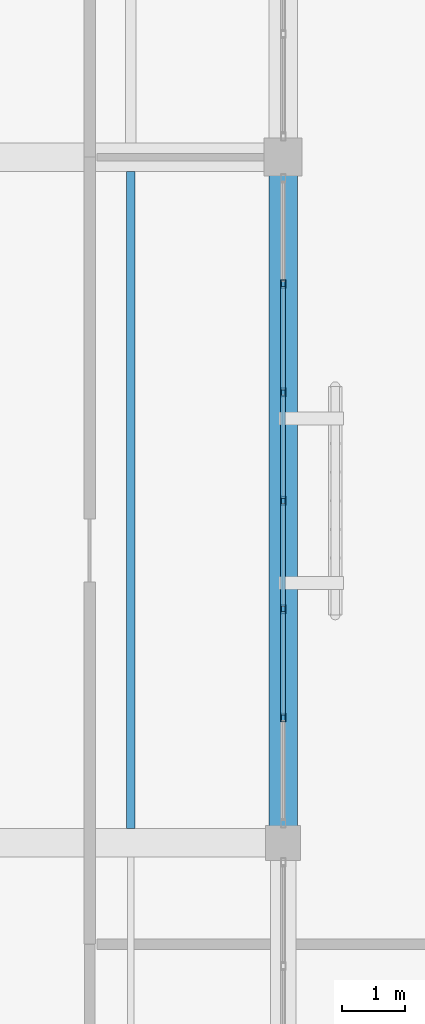
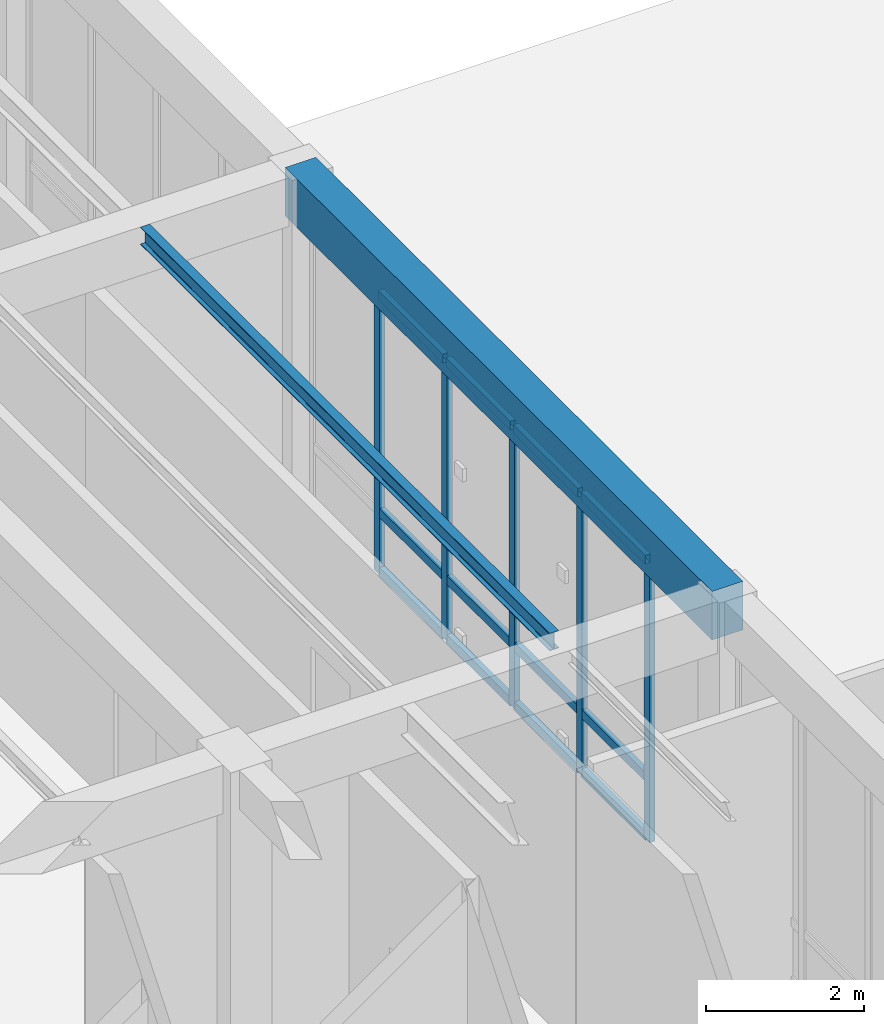
# One storey, part 30 of 169: 17 members, 2 beams, 1 element without a shape of its own.
"""IFC4 building model written with IfcOpenShell, lengths in metres."""

from ifc_helpers import new_model, si_unit, direction, frame, origin, origin_2d, place, context, subcontext, project, spatial, rectangle, hollow_rectangle, i_section, extrude, material, layer, layer_set, material_profile, profile_set, type_object, element, aggregate, save


model = new_model("IFC4")

# Units and contexts
model_context = context("Model", 3, precision=1e-05, world=origin(), true_north=direction((0.0, 1.0)))
body_context = subcontext(model_context, "Body", "Model", "MODEL_VIEW")
ifc_project = project(units=[si_unit("LENGTHUNIT", "METRE"), si_unit("AREAUNIT", "SQUARE_METRE"), si_unit("VOLUMEUNIT", "CUBIC_METRE"), si_unit("PLANEANGLEUNIT", "RADIAN"), si_unit("MASSUNIT", "GRAM", prefix="KILO")], contexts=[model_context])

# Site, building, storey
site_placement = place(None, origin())
site = spatial("IfcSite", under=ifc_project, at=site_placement, CompositionType="ELEMENT")
building_placement = place(site_placement, origin())
building = spatial("IfcBuilding", under=site, at=building_placement, Name="Mazaris Harbour Polytechnic", CompositionType="ELEMENT")
storey_placement = place(building_placement, origin())
storey = spatial("IfcBuildingStorey", under=building, at=storey_placement, Name="L00", CompositionType="ELEMENT", Elevation=0.0)

# Curtain wall, members
ifc_material_1 = material(Name="Anodised Bronze Aluminium and Low-E Glass", Category="aluminium")
ifc_layer = layer(ifc_material_1, 0.159912109375, Name="Anodised Bronze Aluminium and Low-E Glass")
ifc_layer_set = layer_set([ifc_layer], Name="Anodised Bronze Aluminium and Low-E Glass")
curtain_wall_type = type_object("IfcCurtainWallType", Name="Cloister Court Curtain Wall", PredefinedType="NOTDEFINED", material=ifc_layer_set)
curtain_wall_placement = place(storey_placement, origin())
curtain_wall = element("IfcCurtainWall", 1, at=curtain_wall_placement, inside=storey, type_object=curtain_wall_type, Name="V4 L00 Curtain Wall 104", PredefinedType="NOTDEFINED")
ifc_material_2 = material(Name="Anodised Bronze Steel S355", Category="steel")
ifc_material_profile_1 = material_profile(ifc_material_2, hollow_rectangle(XDim=0.080078125, YDim=0.139892578125, WallThickness=0.00634765625, at=origin_2d()), Name="RHS 80x140x6.3")
ifc_profile_set_1 = profile_set([ifc_material_profile_1], Name="Anodised Bronze Steel S355")
member_type_1 = type_object("IfcMemberType", Name="Curtain Mullion RHS80x140", PredefinedType="MULLION", material=ifc_profile_set_1)
member_1_placement = place(storey_placement, frame((14.39990234375, 45.173828125, 0.0), z_axis=(0.0, 0.0, 1.0), x_axis=(-1.0, 0.0, 0.0)))
member_1 = element("IfcMember", 2, at=member_1_placement, type_object=member_type_1, Name="CW-02 mullion 2", PredefinedType="MULLION", context=body_context, shape_type="SweptSolid", body=[
    extrude(hollow_rectangle(XDim=0.080078125, YDim=0.139892578125, WallThickness=0.00634765625, at=origin_2d()), origin(), (0.0, 0.0, 1.0), 4.340087890625),
])
member_2_placement = place(storey_placement, frame((14.39990234375, 46.880615234375, 0.0), z_axis=(0.0, 0.0, 1.0), x_axis=(-1.0, 0.0, 0.0)))
member_2 = element("IfcMember", 3, at=member_2_placement, type_object=member_type_1, Name="CW-02 mullion 3", PredefinedType="MULLION", context=body_context, shape_type="SweptSolid", body=[
    extrude(hollow_rectangle(XDim=0.080078125, YDim=0.139892578125, WallThickness=0.00634765625, at=origin_2d()), origin(), (0.0, 0.0, 1.0), 4.340087890625),
])
member_3_placement = place(storey_placement, frame((14.39990234375, 48.58740234375, 0.0), z_axis=(0.0, 0.0, 1.0), x_axis=(-1.0, 0.0, 0.0)))
member_3 = element("IfcMember", 4, at=member_3_placement, type_object=member_type_1, Name="CW-02 mullion 4", PredefinedType="MULLION", context=body_context, shape_type="SweptSolid", body=[
    extrude(hollow_rectangle(XDim=0.080078125, YDim=0.139892578125, WallThickness=0.00634765625, at=origin_2d()), origin(), (0.0, 0.0, 1.0), 4.340087890625),
])
member_4_placement = place(storey_placement, frame((14.39990234375, 50.29443359375, 0.0), z_axis=(0.0, 0.0, 1.0), x_axis=(-1.0, 0.0, 0.0)))
member_4 = element("IfcMember", 5, at=member_4_placement, type_object=member_type_1, Name="CW-02 mullion 5", PredefinedType="MULLION", context=body_context, shape_type="SweptSolid", body=[
    extrude(hollow_rectangle(XDim=0.080078125, YDim=0.139892578125, WallThickness=0.00634765625, at=origin_2d()), origin(), (0.0, 0.0, 1.0), 4.340087890625),
])
member_5_placement = place(storey_placement, frame((14.39990234375, 52.001220703125, 0.0), z_axis=(0.0, 0.0, 1.0), x_axis=(-1.0, 0.0, 0.0)))
member_5 = element("IfcMember", 6, at=member_5_placement, type_object=member_type_1, Name="CW-02 mullion 6", PredefinedType="MULLION", context=body_context, shape_type="SweptSolid", body=[
    extrude(hollow_rectangle(XDim=0.080078125, YDim=0.139892578125, WallThickness=0.00634765625, at=origin_2d()), origin(), (0.0, 0.0, 1.0), 4.340087890625),
])
ifc_material_3 = material(Name="Anodised Bronze Steel S355", Category="steel")
ifc_material_profile_2 = material_profile(ifc_material_3, hollow_rectangle(XDim=0.080078125, YDim=0.139892578125, WallThickness=0.00634765625, at=origin_2d()), Name="RHS 80x140x6.3")
ifc_profile_set_2 = profile_set([ifc_material_profile_2], Name="Anodised Bronze Steel S355")
member_type_2 = type_object("IfcMemberType", Name="Curtain Transom RHS80x140", PredefinedType="USERDEFINED", material=ifc_profile_set_2)
member_6_placement = place(storey_placement, frame((14.39990234375, 45.2138671875, 0.0400390625), z_axis=(0.0, 1.0, 0.0), x_axis=(-1.0, 0.0, 0.0)))
member_6 = element("IfcMember", 7, at=member_6_placement, type_object=member_type_2, Name="CW-02 transom 2.1", ObjectType="TRANSOM", PredefinedType="USERDEFINED", context=body_context, shape_type="SweptSolid", body=[
    extrude(hollow_rectangle(XDim=0.080078125, YDim=0.139892578125, WallThickness=0.00634765625, at=origin_2d()), origin(), (0.0, 0.0, 1.0), 1.626708984375),
])
member_7_placement = place(storey_placement, frame((14.39990234375, 45.2138671875, 0.949951171875), z_axis=(0.0, 1.0, 0.0), x_axis=(-1.0, 0.0, 0.0)))
member_7 = element("IfcMember", 8, at=member_7_placement, type_object=member_type_2, Name="CW-02 transom 2.2", ObjectType="TRANSOM", PredefinedType="USERDEFINED", context=body_context, shape_type="SweptSolid", body=[
    extrude(hollow_rectangle(XDim=0.080078125, YDim=0.139892578125, WallThickness=0.00634765625, at=origin_2d()), origin(), (0.0, 0.0, 1.0), 1.626708984375),
])
member_8_placement = place(storey_placement, frame((14.39990234375, 45.2138671875, 4.300048828125), z_axis=(0.0, 1.0, 0.0), x_axis=(-1.0, 0.0, 0.0)))
member_8 = element("IfcMember", 9, at=member_8_placement, type_object=member_type_2, Name="CW-02 transom 2.3", ObjectType="TRANSOM", PredefinedType="USERDEFINED", context=body_context, shape_type="SweptSolid", body=[
    extrude(hollow_rectangle(XDim=0.080078125, YDim=0.139892578125, WallThickness=0.00634765625, at=origin_2d()), origin(), (0.0, 0.0, 1.0), 1.626708984375),
])
member_9_placement = place(storey_placement, frame((14.39990234375, 46.920654296875, 0.0400390625), z_axis=(0.0, 1.0, 0.0), x_axis=(-1.0, 0.0, 0.0)))
member_9 = element("IfcMember", 10, at=member_9_placement, type_object=member_type_2, Name="CW-02 transom 3.1", ObjectType="TRANSOM", PredefinedType="USERDEFINED", context=body_context, shape_type="SweptSolid", body=[
    extrude(hollow_rectangle(XDim=0.080078125, YDim=0.139892578125, WallThickness=0.00634765625, at=origin_2d()), origin(), (0.0, 0.0, 1.0), 1.626953125),
])
member_10_placement = place(storey_placement, frame((14.39990234375, 46.920654296875, 0.949951171875), z_axis=(0.0, 1.0, 0.0), x_axis=(-1.0, 0.0, 0.0)))
member_10 = element("IfcMember", 11, at=member_10_placement, type_object=member_type_2, Name="CW-02 transom 3.2", ObjectType="TRANSOM", PredefinedType="USERDEFINED", context=body_context, shape_type="SweptSolid", body=[
    extrude(hollow_rectangle(XDim=0.080078125, YDim=0.139892578125, WallThickness=0.00634765625, at=origin_2d()), origin(), (0.0, 0.0, 1.0), 1.626953125),
])
member_11_placement = place(storey_placement, frame((14.39990234375, 46.920654296875, 4.300048828125), z_axis=(0.0, 1.0, 0.0), x_axis=(-1.0, 0.0, 0.0)))
member_11 = element("IfcMember", 12, at=member_11_placement, type_object=member_type_2, Name="CW-02 transom 3.3", ObjectType="TRANSOM", PredefinedType="USERDEFINED", context=body_context, shape_type="SweptSolid", body=[
    extrude(hollow_rectangle(XDim=0.080078125, YDim=0.139892578125, WallThickness=0.00634765625, at=origin_2d()), origin(), (0.0, 0.0, 1.0), 1.626953125),
])
member_12_placement = place(storey_placement, frame((14.39990234375, 48.62744140625, 0.0400390625), z_axis=(0.0, 1.0, 0.0), x_axis=(-1.0, 0.0, 0.0)))
member_12 = element("IfcMember", 13, at=member_12_placement, type_object=member_type_2, Name="CW-02 transom 4.1", ObjectType="TRANSOM", PredefinedType="USERDEFINED", context=body_context, shape_type="SweptSolid", body=[
    extrude(hollow_rectangle(XDim=0.080078125, YDim=0.139892578125, WallThickness=0.00634765625, at=origin_2d()), origin(), (0.0, 0.0, 1.0), 1.626953125),
])
member_13_placement = place(storey_placement, frame((14.39990234375, 48.62744140625, 0.949951171875), z_axis=(0.0, 1.0, 0.0), x_axis=(-1.0, 0.0, 0.0)))
member_13 = element("IfcMember", 14, at=member_13_placement, type_object=member_type_2, Name="CW-02 transom 4.2", ObjectType="TRANSOM", PredefinedType="USERDEFINED", context=body_context, shape_type="SweptSolid", body=[
    extrude(hollow_rectangle(XDim=0.080078125, YDim=0.139892578125, WallThickness=0.00634765625, at=origin_2d()), origin(), (0.0, 0.0, 1.0), 1.626953125),
])
member_14_placement = place(storey_placement, frame((14.39990234375, 48.62744140625, 4.300048828125), z_axis=(0.0, 1.0, 0.0), x_axis=(-1.0, 0.0, 0.0)))
member_14 = element("IfcMember", 15, at=member_14_placement, type_object=member_type_2, Name="CW-02 transom 4.3", ObjectType="TRANSOM", PredefinedType="USERDEFINED", context=body_context, shape_type="SweptSolid", body=[
    extrude(hollow_rectangle(XDim=0.080078125, YDim=0.139892578125, WallThickness=0.00634765625, at=origin_2d()), origin(), (0.0, 0.0, 1.0), 1.626953125),
])
member_15_placement = place(storey_placement, frame((14.39990234375, 50.334228515625, 0.0400390625), z_axis=(0.0, 1.0, 0.0), x_axis=(-1.0, 0.0, 0.0)))
member_15 = element("IfcMember", 16, at=member_15_placement, type_object=member_type_2, Name="CW-02 transom 5.1", ObjectType="TRANSOM", PredefinedType="USERDEFINED", context=body_context, shape_type="SweptSolid", body=[
    extrude(hollow_rectangle(XDim=0.080078125, YDim=0.139892578125, WallThickness=0.00634765625, at=origin_2d()), origin(), (0.0, 0.0, 1.0), 1.626953125),
])
member_16_placement = place(storey_placement, frame((14.39990234375, 50.334228515625, 0.949951171875), z_axis=(0.0, 1.0, 0.0), x_axis=(-1.0, 0.0, 0.0)))
member_16 = element("IfcMember", 17, at=member_16_placement, type_object=member_type_2, Name="CW-02 transom 5.2", ObjectType="TRANSOM", PredefinedType="USERDEFINED", context=body_context, shape_type="SweptSolid", body=[
    extrude(hollow_rectangle(XDim=0.080078125, YDim=0.139892578125, WallThickness=0.00634765625, at=origin_2d()), origin(), (0.0, 0.0, 1.0), 1.626953125),
])
member_17_placement = place(storey_placement, frame((14.39990234375, 50.334228515625, 4.300048828125), z_axis=(0.0, 1.0, 0.0), x_axis=(-1.0, 0.0, 0.0)))
member_17 = element("IfcMember", 18, at=member_17_placement, type_object=member_type_2, Name="CW-02 transom 5.3", ObjectType="TRANSOM", PredefinedType="USERDEFINED", context=body_context, shape_type="SweptSolid", body=[
    extrude(hollow_rectangle(XDim=0.080078125, YDim=0.139892578125, WallThickness=0.00634765625, at=origin_2d()), origin(), (0.0, 0.0, 1.0), 1.626953125),
])
aggregate(curtain_wall, [member_1, member_2, member_3, member_4, member_5, member_6, member_7, member_8, member_9, member_10, member_11, member_12, member_13, member_14, member_15, member_16, member_17])

# Beams
ifc_material_4 = material(Name="Concrete C40/50", Category="concrete")
ifc_material_profile_3 = material_profile(ifc_material_4, rectangle(XDim=0.449951171875, YDim=0.75, at=origin_2d()), Name="RECT450x750")
ifc_profile_set_3 = profile_set([ifc_material_profile_3], Name="Concrete C40/50")
beam_type_1 = type_object("IfcBeamType", Name="RC Girder 450x750", PredefinedType="BEAM", material=ifc_profile_set_3)
beam_1_placement = place(storey_placement, frame((14.39990234375, 43.199951171875, 4.72509765625), z_axis=(0.0, 1.0, 0.0), x_axis=(-1.0, 0.0, 0.0)))
element("IfcBeam", 19, at=beam_1_placement, inside=storey, type_object=beam_type_1, Name="V4 L00 Tie Girder 1453", PredefinedType="BEAM", context=body_context, shape_type="SweptSolid", body=[
    extrude(rectangle(XDim=0.449951171875, YDim=0.75, at=origin_2d()), origin(), (0.0, 0.0, 1.0), 10.800048828125),
])
ifc_material_5 = material(Name="Steel S355", Category="steel")
ifc_material_profile_4 = material_profile(ifc_material_5, i_section(OverallWidth=0.135009765625, OverallDepth=0.27001953125, WebThickness=0.006591796875, FlangeThickness=0.01025390625, FilletRadius=0.014892578125, at=origin_2d()), Name="IPE 270")
ifc_profile_set_4 = profile_set([ifc_material_profile_4], Name="Steel S355")
beam_type_2 = type_object("IfcBeamType", Name="Steel Joist IPE270", PredefinedType="JOIST", material=ifc_profile_set_4)
beam_2_placement = place(storey_placement, frame((12.0, 43.425048828125, 4.965087890625), z_axis=(0.0, 1.0, 0.0), x_axis=(-1.0, 0.0, 0.0)))
element("IfcBeam", 20, at=beam_2_placement, inside=storey, type_object=beam_type_2, Name="V4 L00 Floor Joist 1535", PredefinedType="JOIST", context=body_context, shape_type="SweptSolid", body=[
    extrude(i_section(OverallWidth=0.135009765625, OverallDepth=0.27001953125, WebThickness=0.006591796875, FlangeThickness=0.01025390625, FilletRadius=0.014892578125, at=origin_2d()), origin(), (0.0, 0.0, 1.0), 10.349853515625),
])

save(model, "model.ifc")
